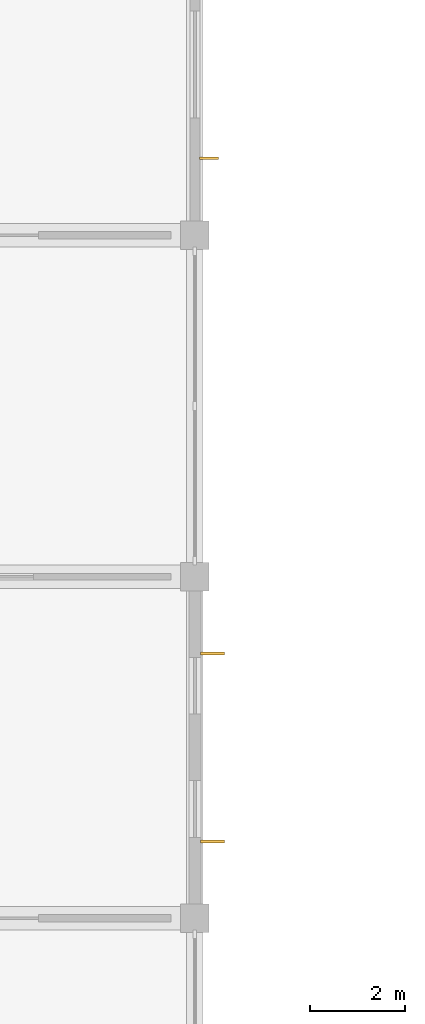
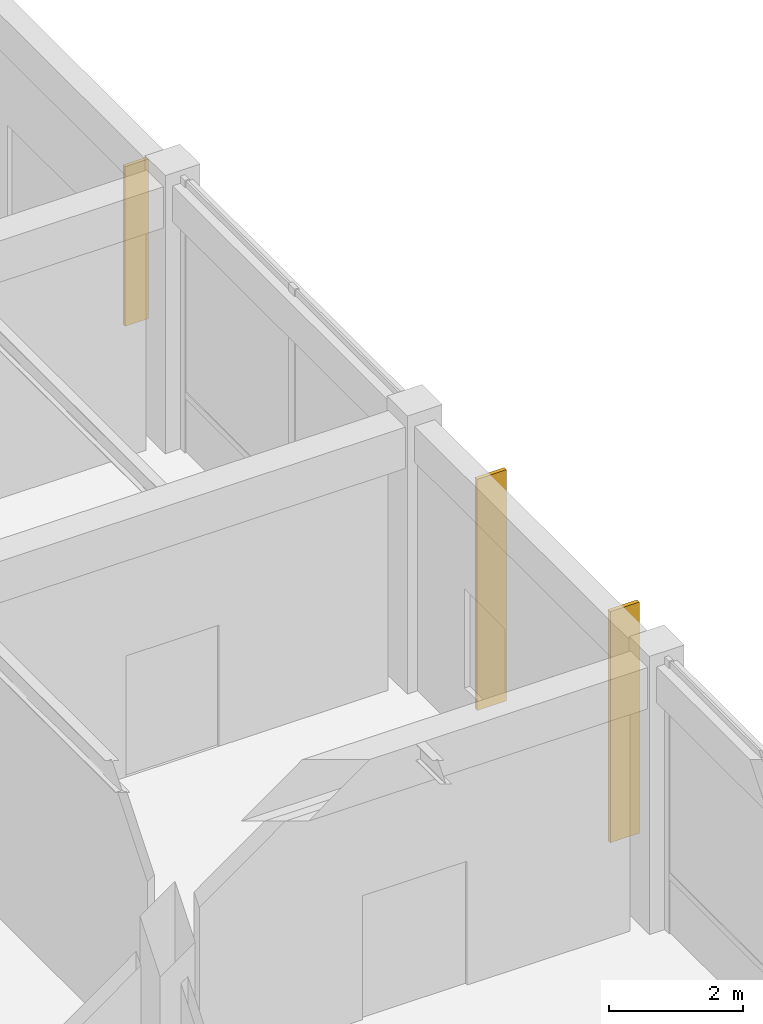
# One storey, part 34 of 38: 3 shading devices.
"""IFC4 building model written with IfcOpenShell, lengths in metres."""

from ifc_helpers import new_model, si_unit, derived_unit, direction, frame, origin, origin_2d, place, context, subcontext, project, spatial, rectangle, extrude, material, layer, layer_set, type_object, element, save


model = new_model("IFC4")

# Units and contexts
model_context = context("Model", 3, precision=1e-05, world=origin(), true_north=direction((0.0, 1.0)))
body_context = subcontext(model_context, "Body", "Model", "MODEL_VIEW")
ifc_project = project(units=[si_unit("LENGTHUNIT", "METRE"), si_unit("AREAUNIT", "SQUARE_METRE"), si_unit("VOLUMEUNIT", "CUBIC_METRE"), si_unit("PLANEANGLEUNIT", "RADIAN"), si_unit("MASSUNIT", "GRAM", prefix="KILO"), derived_unit("THERMALTRANSMITTANCEUNIT", [(si_unit("MASSUNIT", "GRAM", prefix="KILO"), 1), (si_unit("TIMEUNIT", "SECOND"), -3), (si_unit("THERMODYNAMICTEMPERATUREUNIT", "KELVIN"), -1)])], contexts=[model_context])

# Site, building, storey
site_placement = place(None, origin())
site = spatial("IfcSite", under=ifc_project, at=site_placement, CompositionType="ELEMENT")
building_placement = place(site_placement, origin())
building = spatial("IfcBuilding", under=site, at=building_placement, Name="Veldstrom Oceanarium and Marine Research Institute", CompositionType="ELEMENT")
storey_placement = place(building_placement, frame((0.0, 0.0, 16.800048828125)))
storey = spatial("IfcBuildingStorey", under=building, at=storey_placement, Name="L03", CompositionType="ELEMENT", Elevation=16.800048828125)

# Shading devices
ifc_material_1 = material(Name="Precast Terracotta Brise-Soleil Louvre", Category="masonry")
ifc_layer_1 = layer(ifc_material_1, 4.199951171875)
ifc_layer_set_1 = layer_set([ifc_layer_1], Name="ARC-SHD-BS03")
shading_device_type_1 = type_object("IfcShadingDeviceType", Name="ARC-SHD-BS03", PredefinedType="JALOUSIE", material=ifc_layer_set_1)
for number, where, z_axis, x_axis, name in (
    (1, (67.570068359375, 16.02001953125, 0.375), (0.0, 0.0, 1.0), (1.0, 0.0, 0.0), "Terracotta Brise-Soleil Louvre L03-090"),
    (2, (67.570068359375, 19.97998046875, 0.375), (0.0, 0.0, 1.0), (1.0, 0.0, 0.0), "Terracotta Brise-Soleil Louvre L03-090"),
):
    element("IfcShadingDevice", number, at=place(storey_placement, frame(where, z_axis=z_axis, x_axis=x_axis)), inside=storey, type_object=shading_device_type_1, Name=name, PredefinedType="JALOUSIE", context=body_context, shape_type="SweptSolid", body=[
        extrude(rectangle(XDim=0.5, YDim=0.06494140625, at=origin_2d()), origin(), (0.0, 0.0, 1.0), 4.199951171875),
    ])
ifc_material_2 = material(Name="Precast Terracotta Brise-Soleil Louvre", Category="masonry")
ifc_layer_2 = layer(ifc_material_2, 2.89990234375)
ifc_layer_set_2 = layer_set([ifc_layer_2], Name="ARC-SHD-BS04")
shading_device_type_2 = type_object("IfcShadingDeviceType", Name="ARC-SHD-BS04", PredefinedType="JALOUSIE", material=ifc_layer_set_2)
shading_device_placement = place(storey_placement, frame((67.50244140625, 30.419921875, 1.02490234375), z_axis=(0.0, 0.0, 1.0), x_axis=(1.0, 0.0, 0.0)))
element("IfcShadingDevice", 3, at=shading_device_placement, inside=storey, type_object=shading_device_type_2, Name="Terracotta Brise-Soleil Louvre L03-091", PredefinedType="JALOUSIE", context=body_context, shape_type="SweptSolid", body=[
    extrude(rectangle(XDim=0.39990234375, YDim=0.054931640625, at=origin_2d()), origin(), (0.0, 0.0, 1.0), 2.89990234375),
])

save(model, "model.ifc")
